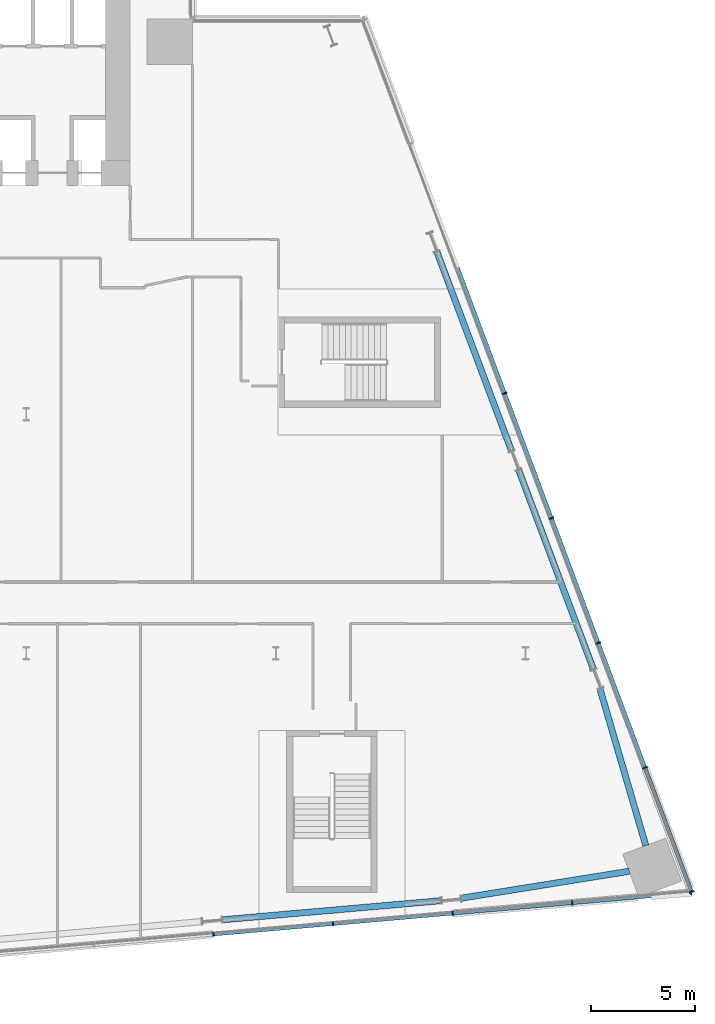
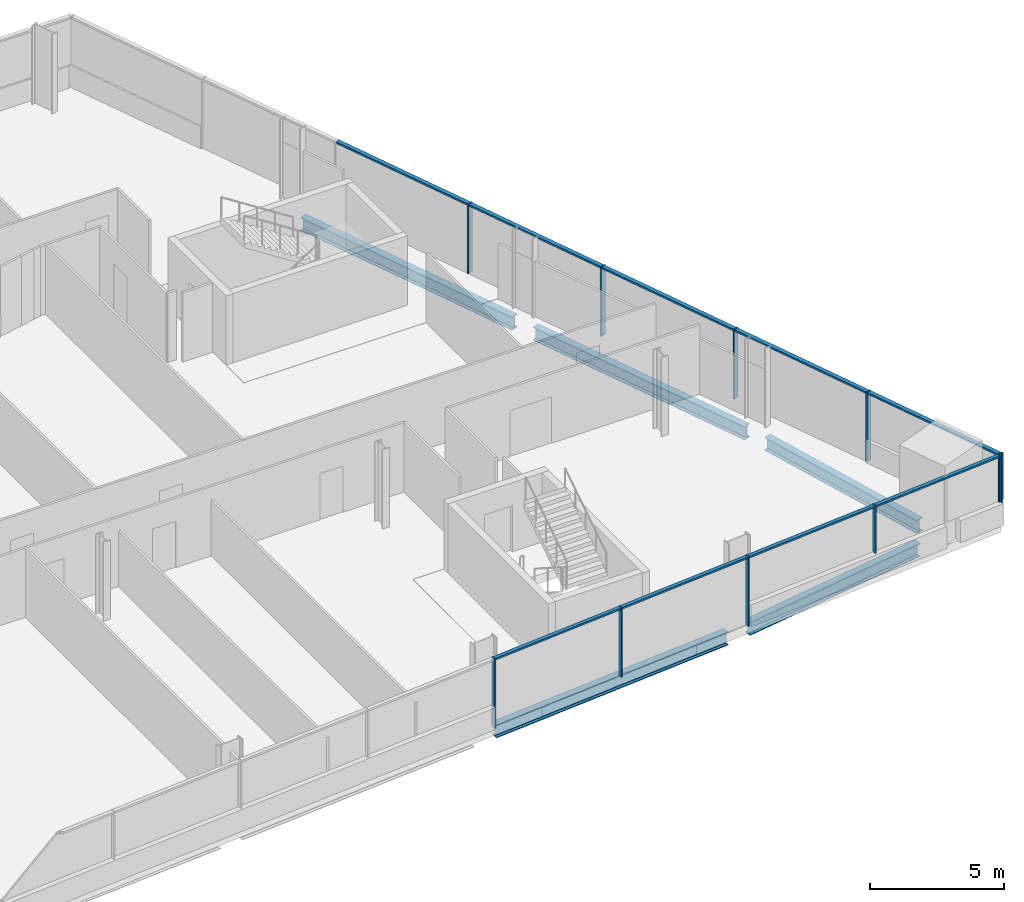
# One storey, part 9 of 24: 19 members, 5 beams, 2 elements without a shape of their own.
"""IFC4 building model written with IfcOpenShell, lengths in metres."""

from ifc_helpers import new_model, si_unit, direction, frame, origin, origin_2d, place, context, subcontext, project, spatial, rectangle, i_section, extrude, material, material_profile, profile_set, type_object, element, aggregate, save


model = new_model("IFC4")

# Units and contexts
model_context = context("Model", 3, precision=1e-05, world=origin(), true_north=direction((0.0, 1.0)))
body_context = subcontext(model_context, "Body", "Model", "MODEL_VIEW")
ifc_project = project(units=[si_unit("LENGTHUNIT", "METRE"), si_unit("AREAUNIT", "SQUARE_METRE"), si_unit("VOLUMEUNIT", "CUBIC_METRE"), si_unit("PLANEANGLEUNIT", "RADIAN"), si_unit("MASSUNIT", "GRAM", prefix="KILO")], contexts=[model_context])

# Site, building, storey
site_placement = place(None, origin())
site = spatial("IfcSite", under=ifc_project, at=site_placement, CompositionType="ELEMENT")
building_placement = place(site_placement, origin())
building = spatial("IfcBuilding", under=site, at=building_placement, Name="Wharfspan Tower", CompositionType="ELEMENT")
storey_placement = place(building_placement, frame((0.0, 0.0, 88.300049)))
storey = spatial("IfcBuildingStorey", under=building, at=storey_placement, Name="L19", CompositionType="ELEMENT", Elevation=88.300049)

# Beams
ifc_material_1 = material(Name="Steel S355J2", Category="steel")
ifc_material_profile_1 = material_profile(ifc_material_1, i_section(OverallWidth=0.300049, OverallDepth=0.600098, WebThickness=0.015381, FlangeThickness=0.030029, FilletRadius=0.0271, at=origin_2d()))
ifc_profile_set_1 = profile_set([ifc_material_profile_1], Name="Steel S355J2")
beam_type = type_object("IfcBeamType", Name="Edge beam HEB 600", PredefinedType="SPANDREL", material=ifc_profile_set_1)
beam_1_placement = place(storey_placement, frame((69.440674, -1.311279, -0.699951), z_axis=(0.996193, 0.087178, 0.0), x_axis=(-0.087178, 0.996193, 0.0)))
element("IfcBeam", 1, at=beam_1_placement, inside=storey, type_object=beam_type, Name="Edge beam S2 L19 PS2.2 to PS2.3", PredefinedType="SPANDREL", context=body_context, shape_type="SweptSolid", body=[
    extrude(i_section(OverallWidth=0.300049, OverallDepth=0.600098, WebThickness=0.015381, FlangeThickness=0.030029, FilletRadius=0.0271, at=origin_2d()), origin(), (0.0, 0.0, 1.0), 10.543701),
])
beam_2_placement = place(storey_placement, frame((80.9375, -0.269287, -0.699951), z_axis=(0.987379, 0.158378, 0.0), x_axis=(-0.158378, 0.987379, 0.0)))
element("IfcBeam", 2, at=beam_2_placement, inside=storey, type_object=beam_type, Name="Edge beam S2 L19 PS2.3 to MC4", PredefinedType="SPANDREL", context=body_context, shape_type="SweptSolid", body=[
    extrude(i_section(OverallWidth=0.300049, OverallDepth=0.600098, WebThickness=0.015381, FlangeThickness=0.030029, FilletRadius=0.0271, at=origin_2d()), origin(), (0.0, 0.0, 1.0), 8.157715),
])
beam_3_placement = place(storey_placement, frame((89.788086, 2.254639, -0.699951), z_axis=(-0.280694, 0.959797, 0.0), x_axis=(-0.959797, -0.280694, 0.0)))
element("IfcBeam", 3, at=beam_3_placement, inside=storey, type_object=beam_type, Name="Edge beam E L19 MC4 to PE.1", PredefinedType="SPANDREL", context=body_context, shape_type="SweptSolid", body=[
    extrude(i_section(OverallWidth=0.300049, OverallDepth=0.600098, WebThickness=0.015381, FlangeThickness=0.030029, FilletRadius=0.0271, at=origin_2d()), origin(), (0.0, 0.0, 1.0), 7.8479),
])
for number, where, z_axis, x_axis, name in (
    (4, (87.269043, 10.736328, -0.699951), (-0.351126, 0.936328, 0.0), (-0.936328, -0.351126, 0.0), "Edge beam E L19 PE.1 to PE.2"),
    (5, (83.331543, 21.236328, -0.699951), (-0.351126, 0.936328, 0.0), (-0.936328, -0.351126, 0.0), "Edge beam E L19 PE.2 to PE.3"),
):
    element("IfcBeam", number, at=place(storey_placement, frame(where, z_axis=z_axis, x_axis=x_axis)), inside=storey, type_object=beam_type, Name=name, PredefinedType="SPANDREL", context=body_context, shape_type="SweptSolid", body=[
        extrude(i_section(OverallWidth=0.300049, OverallDepth=0.600098, WebThickness=0.015381, FlangeThickness=0.030029, FilletRadius=0.0271, at=origin_2d()), origin(), (0.0, 0.0, 1.0), 10.214111),
    ])

# Curtain wall, members
ifc_material_2 = material(Name="Aluminium 6063-T6", Category="aluminium")
curtain_wall_type_1 = type_object("IfcCurtainWallType", Name="CURTAIN WALL FACETED FRONT", PredefinedType="NOTDEFINED", material=ifc_material_2)
curtain_wall_1_placement = place(storey_placement, origin())
curtain_wall_1 = element("IfcCurtainWall", 6, at=curtain_wall_1_placement, inside=storey, type_object=curtain_wall_type_1, Name="Curtain wall S2", PredefinedType="NOTDEFINED")
ifc_material_profile_2 = material_profile(ifc_material_2, rectangle(XDim=0.199951, YDim=0.060059, at=origin_2d()))
ifc_profile_set_2 = profile_set([ifc_material_profile_2], Name="Aluminium 6063-T6")
member_type_1 = type_object("IfcMemberType", Name="MULLION FACETED FRONT 60x200", PredefinedType="MULLION", material=ifc_profile_set_2)
member_1_placement = place(storey_placement, frame((69.0, -2.012207, 0.0), z_axis=(0.0, 0.0, 1.0), x_axis=(-0.087156, 0.996197, 0.0)))
member_1 = element("IfcMember", 7, at=member_1_placement, type_object=member_type_1, Name="Curtain wall S2 mullion 5", PredefinedType="MULLION", context=body_context, shape_type="SweptSolid", body=[
    extrude(rectangle(XDim=0.199951, YDim=0.060059, at=origin_2d()), origin(), (0.0, 0.0, 1.0), 3.149902),
])
member_2_placement = place(storey_placement, frame((74.75, -1.509277, 0.0), z_axis=(0.0, 0.0, 1.0), x_axis=(-0.087156, 0.996197, 0.0)))
member_2 = element("IfcMember", 8, at=member_2_placement, type_object=member_type_1, Name="Curtain wall S2 mullion 6", PredefinedType="MULLION", context=body_context, shape_type="SweptSolid", body=[
    extrude(rectangle(XDim=0.199951, YDim=0.060059, at=origin_2d()), origin(), (0.0, 0.0, 1.0), 3.149902),
])
member_3_placement = place(storey_placement, frame((80.5, -1.006104, 0.0), z_axis=(0.0, 0.0, 1.0), x_axis=(-0.087156, 0.996197, 0.0)))
member_3 = element("IfcMember", 9, at=member_3_placement, type_object=member_type_1, Name="Curtain wall S2 mullion 7", PredefinedType="MULLION", context=body_context, shape_type="SweptSolid", body=[
    extrude(rectangle(XDim=0.199951, YDim=0.060059, at=origin_2d()), origin(), (0.0, 0.0, 1.0), 3.149902),
])
member_4_placement = place(storey_placement, frame((86.25, -0.503174, 1.0), z_axis=(0.0, 0.0, 1.0), x_axis=(-0.087156, 0.996197, 0.0)))
member_4 = element("IfcMember", 10, at=member_4_placement, type_object=member_type_1, Name="Curtain wall S2 mullion 8", PredefinedType="MULLION", context=body_context, shape_type="SweptSolid", body=[
    extrude(rectangle(XDim=0.199951, YDim=0.060059, at=origin_2d()), origin(), (0.0, 0.0, 1.0), 2.149902),
])
member_5_placement = place(storey_placement, frame((91.970215, -0.002686, 1.0), z_axis=(0.0, 0.0, 1.0), x_axis=(-0.087156, 0.996197, 0.0)))
member_5 = element("IfcMember", 11, at=member_5_placement, type_object=member_type_1, Name="Curtain wall S2 mullion 9", PredefinedType="MULLION", context=body_context, shape_type="SweptSolid", body=[
    extrude(rectangle(XDim=0.199951, YDim=0.060059, at=origin_2d()), origin(), (0.0, 0.0, 1.0), 2.149902),
])

curtain_wall_type_2 = type_object("IfcCurtainWallType", Name="CURTAIN WALL PROW AND END", PredefinedType="NOTDEFINED", material=ifc_material_2)
curtain_wall_2_placement = place(storey_placement, origin())
curtain_wall_2 = element("IfcCurtainWall", 12, at=curtain_wall_2_placement, inside=storey, type_object=curtain_wall_type_2, Name="Curtain wall E", PredefinedType="NOTDEFINED")
ifc_material_profile_3 = material_profile(ifc_material_2, rectangle(XDim=0.23999, YDim=0.060059, at=origin_2d()))
ifc_profile_set_3 = profile_set([ifc_material_profile_3], Name="Aluminium 6063-T6")
member_type_2 = type_object("IfcMemberType", Name="MULLION PROW AND END 60x240", PredefinedType="MULLION", material=ifc_profile_set_3)
member_6_placement = place(storey_placement, frame((91.989502, 0.028076, 1.0), z_axis=(0.0, 0.0, 1.0), x_axis=(-0.936328, -0.351123, 0.0)))
member_6 = element("IfcMember", 13, at=member_6_placement, type_object=member_type_2, Name="Curtain wall E mullion 1", PredefinedType="MULLION", context=body_context, shape_type="SweptSolid", body=[
    extrude(rectangle(XDim=0.23999, YDim=0.060059, at=origin_2d()), origin(), (0.0, 0.0, 1.0), 2.149902),
])
member_7_placement = place(storey_placement, frame((89.75, 6.0, 0.0), z_axis=(0.0, 0.0, 1.0), x_axis=(-0.936328, -0.351123, 0.0)))
member_7 = element("IfcMember", 14, at=member_7_placement, type_object=member_type_2, Name="Curtain wall E mullion 2", PredefinedType="MULLION", context=body_context, shape_type="SweptSolid", body=[
    extrude(rectangle(XDim=0.23999, YDim=0.060059, at=origin_2d()), origin(), (0.0, 0.0, 1.0), 3.149902),
])
member_8_placement = place(storey_placement, frame((87.5, 12.0, 0.0), z_axis=(0.0, 0.0, 1.0), x_axis=(-0.936328, -0.351123, 0.0)))
member_8 = element("IfcMember", 15, at=member_8_placement, type_object=member_type_2, Name="Curtain wall E mullion 3", PredefinedType="MULLION", context=body_context, shape_type="SweptSolid", body=[
    extrude(rectangle(XDim=0.23999, YDim=0.060059, at=origin_2d()), origin(), (0.0, 0.0, 1.0), 3.149902),
])
member_9_placement = place(storey_placement, frame((85.25, 18.0, 0.0), z_axis=(0.0, 0.0, 1.0), x_axis=(-0.936328, -0.351123, 0.0)))
member_9 = element("IfcMember", 16, at=member_9_placement, type_object=member_type_2, Name="Curtain wall E mullion 4", PredefinedType="MULLION", context=body_context, shape_type="SweptSolid", body=[
    extrude(rectangle(XDim=0.23999, YDim=0.060059, at=origin_2d()), origin(), (0.0, 0.0, 1.0), 3.149902),
])
member_10_placement = place(storey_placement, frame((83.0, 24.0, 0.0), z_axis=(0.0, 0.0, 1.0), x_axis=(-0.936328, -0.351123, 0.0)))
member_10 = element("IfcMember", 17, at=member_10_placement, type_object=member_type_2, Name="Curtain wall E mullion 5", PredefinedType="MULLION", context=body_context, shape_type="SweptSolid", body=[
    extrude(rectangle(XDim=0.23999, YDim=0.060059, at=origin_2d()), origin(), (0.0, 0.0, 1.0), 3.149902),
])

# Member
ifc_material_profile_4 = material_profile(ifc_material_2, rectangle(XDim=0.159912, YDim=0.080078, at=origin_2d()))
ifc_profile_set_4 = profile_set([ifc_material_profile_4], Name="Aluminium 6063-T6")
member_type_3 = type_object("IfcMemberType", Name="TRANSOM FACETED FRONT 80x160", PredefinedType="USERDEFINED", material=ifc_profile_set_4)
member_11_placement = place(storey_placement, frame((69.029785, -2.009521, 3.109863), z_axis=(0.996195, 0.087148, 0.0), x_axis=(-0.087148, 0.996195, 0.0)))
member_11 = element("IfcMember", 18, at=member_11_placement, type_object=member_type_3, Name="Curtain wall S2 transom 5", ObjectType="TRANSOM", PredefinedType="USERDEFINED", context=body_context, shape_type="SweptSolid", body=[
    extrude(rectangle(XDim=0.159912, YDim=0.080078, at=origin_2d()), origin(), (0.0, 0.0, 1.0), 5.712158),
])

member_12_placement = place(storey_placement, frame((74.779785, -1.506592, 3.109863), z_axis=(0.996195, 0.087148, 0.0), x_axis=(-0.087148, 0.996195, 0.0)))
member_12 = element("IfcMember", 19, at=member_12_placement, type_object=member_type_3, Name="Curtain wall S2 transom 6", ObjectType="TRANSOM", PredefinedType="USERDEFINED", context=body_context, shape_type="SweptSolid", body=[
    extrude(rectangle(XDim=0.159912, YDim=0.080078, at=origin_2d()), origin(), (0.0, 0.0, 1.0), 5.712158),
])

member_13_placement = place(storey_placement, frame((80.529785, -1.003418, 3.109863), z_axis=(0.996195, 0.087148, 0.0), x_axis=(-0.087148, 0.996195, 0.0)))
member_13 = element("IfcMember", 20, at=member_13_placement, type_object=member_type_3, Name="Curtain wall S2 transom 7", ObjectType="TRANSOM", PredefinedType="USERDEFINED", context=body_context, shape_type="SweptSolid", body=[
    extrude(rectangle(XDim=0.159912, YDim=0.080078, at=origin_2d()), origin(), (0.0, 0.0, 1.0), 5.712158),
])

member_14_placement = place(storey_placement, frame((86.279785, -0.500488, 3.109863), z_axis=(0.996193, 0.08718, 0.0), x_axis=(-0.08718, 0.996193, 0.0)))
member_14 = element("IfcMember", 21, at=member_14_placement, type_object=member_type_3, Name="Curtain wall S2 transom 8", ObjectType="TRANSOM", PredefinedType="USERDEFINED", context=body_context, shape_type="SweptSolid", body=[
    extrude(rectangle(XDim=0.159912, YDim=0.080078, at=origin_2d()), origin(), (0.0, 0.0, 1.0), 5.682129),
])

aggregate(curtain_wall_1, [member_1, member_2, member_3, member_4, member_5, member_11, member_12, member_13, member_14])

ifc_material_profile_5 = material_profile(ifc_material_2, rectangle(XDim=0.179932, YDim=0.080078, at=origin_2d()))
ifc_profile_set_5 = profile_set([ifc_material_profile_5], Name="Aluminium 6063-T6")
member_type_4 = type_object("IfcMemberType", Name="TRANSOM PROW AND END 80x180", PredefinedType="USERDEFINED", material=ifc_profile_set_5)
member_15_placement = place(storey_placement, frame((91.979004, 0.056152, 3.109863), z_axis=(-0.351136, 0.936324, 0.0), x_axis=(-0.936324, -0.351136, 0.0)))
member_15 = element("IfcMember", 22, at=member_15_placement, type_object=member_type_4, Name="Curtain wall E transom 1", ObjectType="TRANSOM", PredefinedType="USERDEFINED", context=body_context, shape_type="SweptSolid", body=[
    extrude(rectangle(XDim=0.179932, YDim=0.080078, at=origin_2d()), origin(), (0.0, 0.0, 1.0), 6.318115),
])

member_16_placement = place(storey_placement, frame((89.739502, 6.028076, 3.109863), z_axis=(-0.351132, 0.936326, 0.0), x_axis=(-0.936326, -0.351132, 0.0)))
member_16 = element("IfcMember", 23, at=member_16_placement, type_object=member_type_4, Name="Curtain wall E transom 2", ObjectType="TRANSOM", PredefinedType="USERDEFINED", context=body_context, shape_type="SweptSolid", body=[
    extrude(rectangle(XDim=0.179932, YDim=0.080078, at=origin_2d()), origin(), (0.0, 0.0, 1.0), 6.348145),
])

member_17_placement = place(storey_placement, frame((87.489502, 12.028076, 3.109863), z_axis=(-0.351132, 0.936326, 0.0), x_axis=(-0.936326, -0.351132, 0.0)))
member_17 = element("IfcMember", 24, at=member_17_placement, type_object=member_type_4, Name="Curtain wall E transom 3", ObjectType="TRANSOM", PredefinedType="USERDEFINED", context=body_context, shape_type="SweptSolid", body=[
    extrude(rectangle(XDim=0.179932, YDim=0.080078, at=origin_2d()), origin(), (0.0, 0.0, 1.0), 6.348145),
])

member_18_placement = place(storey_placement, frame((85.239502, 18.028076, 3.109863), z_axis=(-0.351132, 0.936326, 0.0), x_axis=(-0.936326, -0.351132, 0.0)))
member_18 = element("IfcMember", 25, at=member_18_placement, type_object=member_type_4, Name="Curtain wall E transom 4", ObjectType="TRANSOM", PredefinedType="USERDEFINED", context=body_context, shape_type="SweptSolid", body=[
    extrude(rectangle(XDim=0.179932, YDim=0.080078, at=origin_2d()), origin(), (0.0, 0.0, 1.0), 6.348145),
])

member_19_placement = place(storey_placement, frame((82.989502, 24.028076, 3.109863), z_axis=(-0.351132, 0.936326, 0.0), x_axis=(-0.936326, -0.351132, 0.0)))
member_19 = element("IfcMember", 26, at=member_19_placement, type_object=member_type_4, Name="Curtain wall E transom 5", ObjectType="TRANSOM", PredefinedType="USERDEFINED", context=body_context, shape_type="SweptSolid", body=[
    extrude(rectangle(XDim=0.179932, YDim=0.080078, at=origin_2d()), origin(), (0.0, 0.0, 1.0), 6.348145),
])

aggregate(curtain_wall_2, [member_6, member_7, member_8, member_9, member_10, member_15, member_16, member_17, member_18, member_19])

save(model, "model.ifc")
